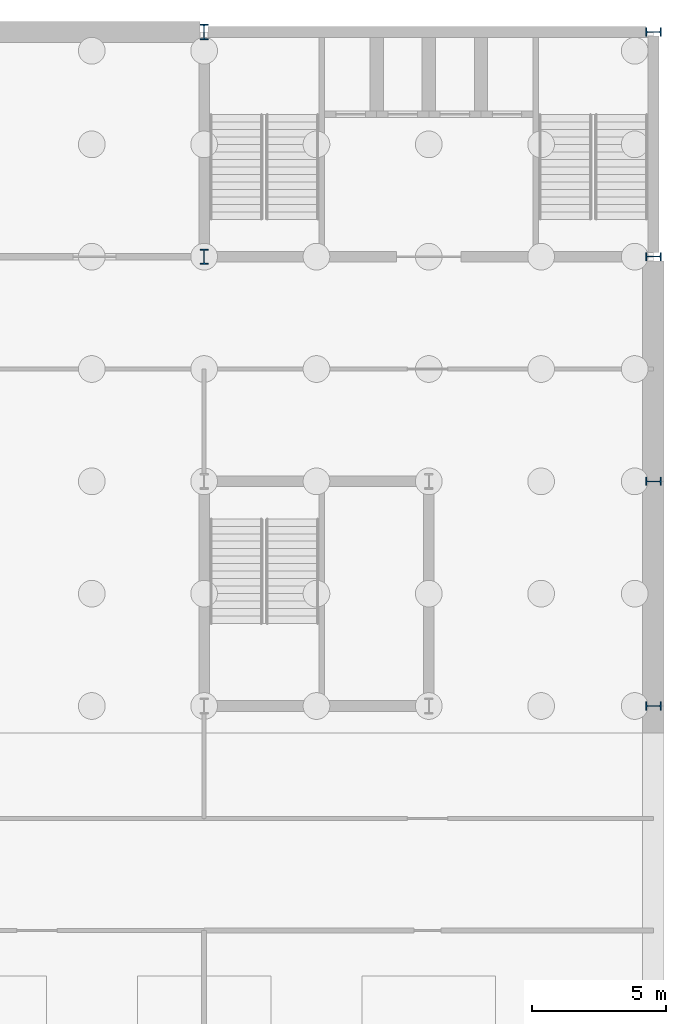
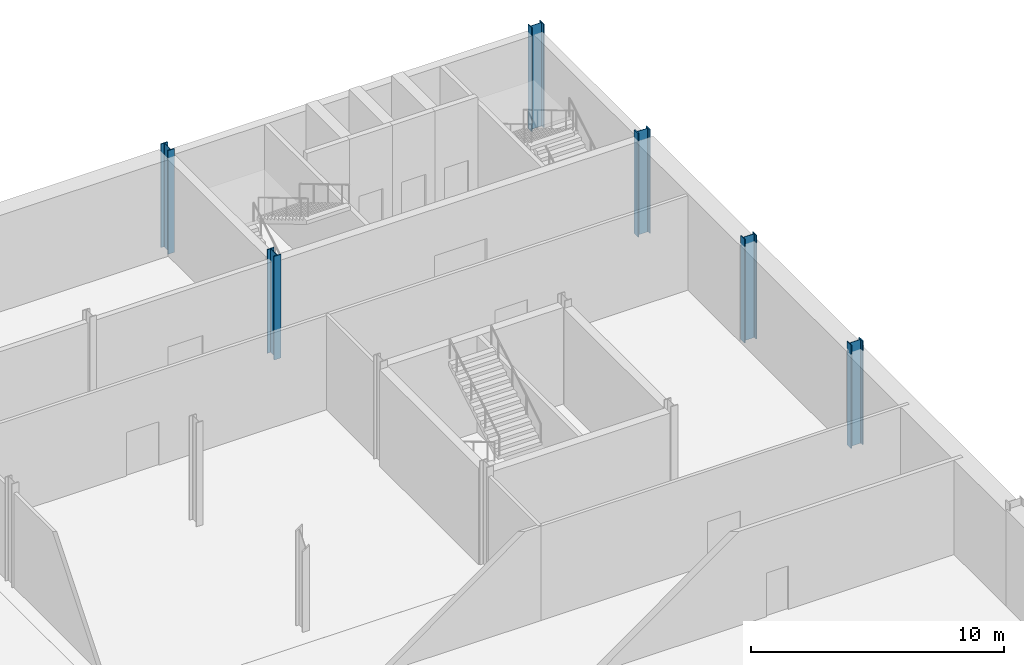
# One storey, part 10 of 22: 6 columns.
"""IFC4 building model written with IfcOpenShell, lengths in metres."""

from ifc_helpers import new_model, si_unit, direction, frame, origin, origin_2d, place, context, subcontext, project, spatial, i_section, extrude, material, material_profile, profile_set, type_object, element, save


model = new_model("IFC4")

# Units and contexts
model_context = context("Model", 3, precision=1e-05, world=origin(), true_north=direction((0.0, 1.0)))
body_context = subcontext(model_context, "Body", "Model", "MODEL_VIEW")
ifc_project = project(units=[si_unit("LENGTHUNIT", "METRE"), si_unit("AREAUNIT", "SQUARE_METRE"), si_unit("VOLUMEUNIT", "CUBIC_METRE"), si_unit("PLANEANGLEUNIT", "RADIAN"), si_unit("MASSUNIT", "GRAM", prefix="KILO")], contexts=[model_context])

# Site, building, storey
site_placement = place(None, origin())
site = spatial("IfcSite", under=ifc_project, at=site_placement, CompositionType="ELEMENT")
building_placement = place(site_placement, origin())
building = spatial("IfcBuilding", under=site, at=building_placement, Name="Galleria Vessillo Department Store", CompositionType="ELEMENT")
storey_placement = place(building_placement, frame((0.0, 0.0, -9.89990234375)))
storey = spatial("IfcBuildingStorey", under=building, at=storey_placement, Name="B2", CompositionType="ELEMENT", Elevation=-9.89990234375)

# Columns
ifc_material = material(Name="Steel S355 J2", Category="steel")
ifc_material_profile = material_profile(ifc_material, i_section(OverallWidth=0.305908203125, OverallDepth=0.572021484375, WebThickness=0.02099609375, FlangeThickness=0.0400390625, FilletRadius=0.027099609375, at=origin_2d()), Name="HEM 550")
ifc_profile_set = profile_set([ifc_material_profile], Name="Steel S355 J2")
column_type = type_object("IfcColumnType", Name="Steel column HEM 550 CT1", PredefinedType="COLUMN", material=ifc_profile_set)
for number, where, z_axis, x_axis, name in (
    (1, (100.800048828125, 54.60009765625, 0.0), (0.0, 0.0, 1.0), (1.0, 0.0, 0.0), "S-COL-B2-13-G"),
    (2, (100.800048828125, 63.0, 0.0), (0.0, 0.0, 1.0), (1.0, 0.0, 0.0), "S-COL-B2-13-H"),
    (3, (117.60009765625, 37.800048828125, 0.0), (0.0, 0.0, 1.0), (0.0, 1.0, 0.0), "S-COL-B2-15-E"),
    (4, (117.60009765625, 46.199951171875, 0.0), (0.0, 0.0, 1.0), (0.0, 1.0, 0.0), "S-COL-B2-15-F"),
    (5, (117.60009765625, 54.60009765625, 0.0), (0.0, 0.0, 1.0), (0.0, 1.0, 0.0), "S-COL-B2-15-G"),
    (6, (117.60009765625, 63.0, 0.0), (0.0, 0.0, 1.0), (0.0, 1.0, 0.0), "S-COL-B2-15-H"),
):
    element("IfcColumn", number, at=place(storey_placement, frame(where, z_axis=z_axis, x_axis=x_axis)), inside=storey, type_object=column_type, Name=name, PredefinedType="COLUMN", context=body_context, shape_type="SweptSolid", body=[
        extrude(i_section(OverallWidth=0.305908203125, OverallDepth=0.572021484375, WebThickness=0.02099609375, FlangeThickness=0.0400390625, FilletRadius=0.027099609375, at=origin_2d()), origin(), (0.0, 0.0, 1.0), 5.0),
    ])

save(model, "model.ifc")
